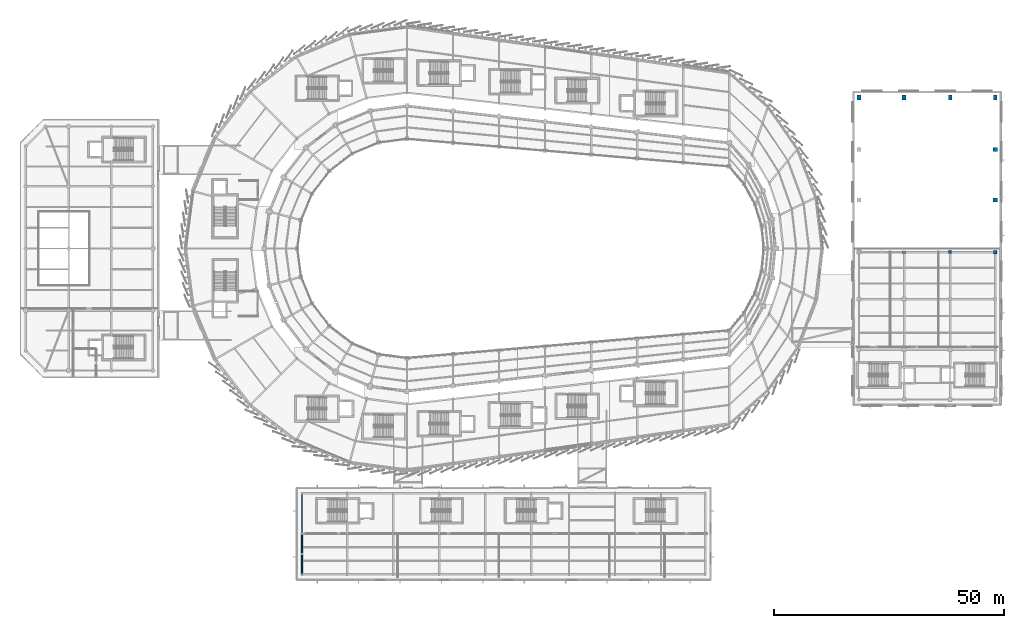
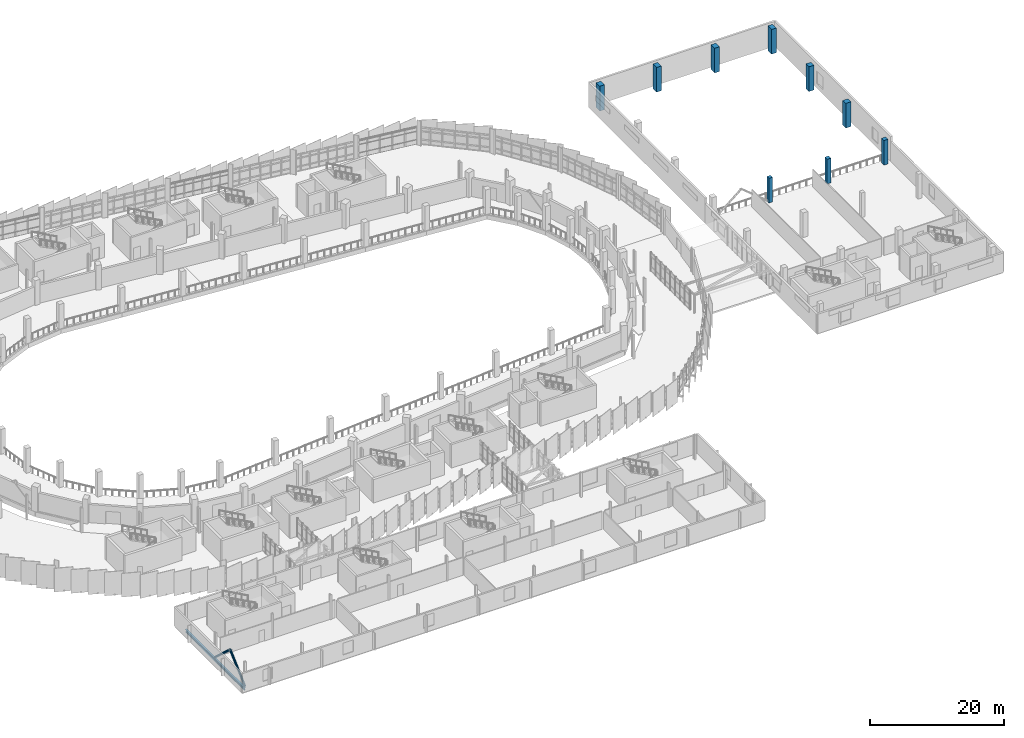
# One storey, part 24 of 125: 9 columns, 2 beams, 2 members.
"""IFC4 building model written with IfcOpenShell, lengths in metres."""

from ifc_helpers import new_model, si_unit, direction, frame, origin, origin_2d, place, context, subcontext, project, spatial, rectangle, hollow_circle, i_section, extrude, material, material_profile, profile_set, type_object, element, save


model = new_model("IFC4")

# Units and contexts
model_context = context("Model", 3, precision=1e-05, world=origin(), true_north=direction((0.0, 1.0)))
body_context = subcontext(model_context, "Body", "Model", "MODEL_VIEW")
ifc_project = project(units=[si_unit("LENGTHUNIT", "METRE"), si_unit("AREAUNIT", "SQUARE_METRE"), si_unit("VOLUMEUNIT", "CUBIC_METRE"), si_unit("PLANEANGLEUNIT", "RADIAN"), si_unit("MASSUNIT", "GRAM", prefix="KILO")], contexts=[model_context])

# Site, building, storey
site_placement = place(None, origin())
site = spatial("IfcSite", under=ifc_project, at=site_placement, CompositionType="ELEMENT")
building_placement = place(site_placement, origin())
building = spatial("IfcBuilding", under=site, at=building_placement, Name="Sohan Crest Arena", CompositionType="ELEMENT")
storey_placement = place(building_placement, frame((0.0, 0.0, 9.0)))
storey = spatial("IfcBuildingStorey", under=building, at=storey_placement, Name="L02", CompositionType="ELEMENT", Elevation=9.0)

# Columns
ifc_material_1 = material(Name="Concrete C40/50", Category="concrete")
ifc_material_profile_1 = material_profile(ifc_material_1, rectangle(XDim=0.60009765625, YDim=0.60009765625, at=origin_2d()), Name="RC 600x600")
ifc_profile_set_1 = profile_set([ifc_material_profile_1], Name="Concrete C40/50")
column_type_1 = type_object("IfcColumnType", Name="STR-COL-C01", PredefinedType="COLUMN", material=ifc_profile_set_1)
column_1_placement = place(storey_placement, frame((206.0, 77.199951171875, 0.0), z_axis=(0.0, 0.0, 1.0), x_axis=(1.0, 0.0, 0.0)))
element("IfcColumn", 1, at=column_1_placement, inside=storey, type_object=column_type_1, Name="Structural column COL-V4S-24-L02", PredefinedType="COLUMN", context=body_context, shape_type="SweptSolid", body=[
    extrude(rectangle(XDim=0.60009765625, YDim=0.60009765625, at=origin_2d()), origin(), (0.0, 0.0, 1.0), 4.5),
])
ifc_material_profile_2 = material_profile(ifc_material_1, rectangle(XDim=0.64990234375, YDim=0.64990234375, at=origin_2d()), Name="RC 650x650")
ifc_profile_set_2 = profile_set([ifc_material_profile_2], Name="Concrete C40/50")
column_type_2 = type_object("IfcColumnType", Name="STR-COL-C02", PredefinedType="COLUMN", material=ifc_profile_set_2)
column_2_placement = place(storey_placement, frame((216.0, 77.199951171875, 0.0), z_axis=(0.0, 0.0, 1.0), x_axis=(1.0, 0.0, 0.0)))
element("IfcColumn", 2, at=column_2_placement, inside=storey, type_object=column_type_2, Name="Structural column COL-V4S-34-L02", PredefinedType="COLUMN", context=body_context, shape_type="SweptSolid", body=[
    extrude(rectangle(XDim=0.64990234375, YDim=0.64990234375, at=origin_2d()), origin(), (0.0, 0.0, 1.0), 4.5),
])
ifc_material_profile_3 = material_profile(ifc_material_1, rectangle(XDim=0.699951171875, YDim=0.699951171875, at=origin_2d()), Name="RC 700x700")
ifc_profile_set_3 = profile_set([ifc_material_profile_3], Name="Concrete C40/50")
column_type_3 = type_object("IfcColumnType", Name="STR-COL-C03", PredefinedType="COLUMN", material=ifc_profile_set_3)
column_3_placement = place(storey_placement, frame((225.800048828125, 77.199951171875, 0.0), z_axis=(0.0, 0.0, 1.0), x_axis=(1.0, 0.0, 0.0)))
element("IfcColumn", 3, at=column_3_placement, inside=storey, type_object=column_type_3, Name="Structural column COL-V4S-44-L02", PredefinedType="COLUMN", context=body_context, shape_type="SweptSolid", body=[
    extrude(rectangle(XDim=0.699951171875, YDim=0.699951171875, at=origin_2d()), origin(), (0.0, 0.0, 1.0), 4.5),
])
ifc_material_profile_4 = material_profile(ifc_material_1, rectangle(XDim=0.89990234375, YDim=0.89990234375, at=origin_2d()), Name="RC 900x900")
ifc_profile_set_4 = profile_set([ifc_material_profile_4], Name="Concrete C40/50")
column_type_4 = type_object("IfcColumnType", Name="STR-COL-C07", PredefinedType="COLUMN", material=ifc_profile_set_4)
for number, where, z_axis, x_axis, name in (
    (4, (225.800048828125, 88.5, 0.0), (0.0, 0.0, 1.0), (1.0, 0.0, 0.0), "Structural column COL-V4G-E1-L02"),
    (5, (225.800048828125, 99.5, 0.0), (0.0, 0.0, 1.0), (1.0, 0.0, 0.0), "Structural column COL-V4G-E2-L02"),
):
    element("IfcColumn", number, at=place(storey_placement, frame(where, z_axis=z_axis, x_axis=x_axis)), inside=storey, type_object=column_type_4, Name=name, PredefinedType="COLUMN", context=body_context, shape_type="SweptSolid", body=[
        extrude(rectangle(XDim=0.89990234375, YDim=0.89990234375, at=origin_2d()), origin(), (0.0, 0.0, 1.0), 4.5),
    ])
ifc_material_profile_5 = material_profile(ifc_material_1, rectangle(XDim=1.10009765625, YDim=0.800048828125, at=origin_2d()), Name="RC 1100x800")
ifc_profile_set_5 = profile_set([ifc_material_profile_5], Name="Concrete C40/50")
column_type_5 = type_object("IfcColumnType", Name="STR-COL-C10", PredefinedType="COLUMN", material=ifc_profile_set_5)
for number, where, z_axis, x_axis, name in (
    (6, (196.199951171875, 110.800048828125, 0.0), (0.0, 0.0, 1.0), (0.0, 1.0, 0.0), "Structural column COL-V4N-1-L02"),
    (7, (206.0, 110.800048828125, 0.0), (0.0, 0.0, 1.0), (0.0, 1.0, 0.0), "Structural column COL-V4N-2-L02"),
    (8, (216.0, 110.800048828125, 0.0), (0.0, 0.0, 1.0), (0.0, 1.0, 0.0), "Structural column COL-V4N-3-L02"),
    (9, (225.800048828125, 110.800048828125, 0.0), (0.0, 0.0, 1.0), (0.0, 1.0, 0.0), "Structural column COL-V4N-4-L02"),
):
    element("IfcColumn", number, at=place(storey_placement, frame(where, z_axis=z_axis, x_axis=x_axis)), inside=storey, type_object=column_type_5, Name=name, PredefinedType="COLUMN", context=body_context, shape_type="SweptSolid", body=[
        extrude(rectangle(XDim=1.10009765625, YDim=0.800048828125, at=origin_2d()), origin(), (0.0, 0.0, 1.0), 4.5),
    ])

# Beams
ifc_material_2 = material(Name="Steel S355", Category="steel")
ifc_material_profile_6 = material_profile(ifc_material_2, i_section(OverallWidth=0.300048828125, OverallDepth=0.489990234375, WebThickness=0.011962890625, FlangeThickness=0.02294921875, at=origin_2d()), Name="HEA 500")
ifc_profile_set_6 = profile_set([ifc_material_profile_6], Name="Steel S355")
beam_type = type_object("IfcBeamType", Name="STR-BM-B10", PredefinedType="BEAM", material=ifc_profile_set_6)
for number, where, z_axis, x_axis, name in (
    (10, (75.199951171875, 7.199951171875, -0.4951171875), (0.0, 1.0, 0.0), (-1.0, 0.0, 0.0), "Structural beam G-L02-2628"),
    (11, (75.199951171875, 16.0, -0.4951171875), (0.0, 1.0, 0.0), (-1.0, 0.0, 0.0), "Structural beam G-L02-2629"),
):
    element("IfcBeam", number, at=place(storey_placement, frame(where, z_axis=z_axis, x_axis=x_axis)), inside=storey, type_object=beam_type, Name=name, PredefinedType="BEAM", context=body_context, shape_type="SweptSolid", body=[
        extrude(i_section(OverallWidth=0.300048828125, OverallDepth=0.489990234375, WebThickness=0.011962890625, FlangeThickness=0.02294921875, at=origin_2d()), origin(), (0.0, 0.0, 1.0), 8.800048828125),
    ])

# Members
ifc_material_profile_7 = material_profile(ifc_material_2, hollow_circle(Radius=0.177734375, WallThickness=0.01611328125, at=origin_2d()), Name="CHS 355.6x16")
ifc_profile_set_7 = profile_set([ifc_material_profile_7], Name="Steel S355")
member_type = type_object("IfcMemberType", Name="STR-MEM-BR04", PredefinedType="BRACE", material=ifc_profile_set_7)
member_1_placement = place(storey_placement, frame((75.199951171875, 7.199951171875, 0.0), z_axis=(0.0, 0.739951219704, 0.672660532854), x_axis=(-1.0, 0.0, 0.0)))
element("IfcMember", 12, at=member_1_placement, inside=storey, type_object=member_type, Name="BOH wing chevron brace BR-043", PredefinedType="BRACE", context=body_context, shape_type="SweptSolid", body=[
    extrude(hollow_circle(Radius=0.177734375, WallThickness=0.01611328125, at=origin_2d()), origin(), (0.0, 0.0, 1.0), 5.946533203125),
])
member_2_placement = place(storey_placement, frame((75.199951171875, 16.0, 0.0), z_axis=(0.0, -0.739932642186, 0.672680968237), x_axis=(1.0, 0.0, 0.0)))
element("IfcMember", 13, at=member_2_placement, inside=storey, type_object=member_type, Name="BOH wing chevron brace BR-044", PredefinedType="BRACE", context=body_context, shape_type="SweptSolid", body=[
    extrude(hollow_circle(Radius=0.177734375, WallThickness=0.01611328125, at=origin_2d()), origin(), (0.0, 0.0, 1.0), 5.9462890625),
])

save(model, "model.ifc")
